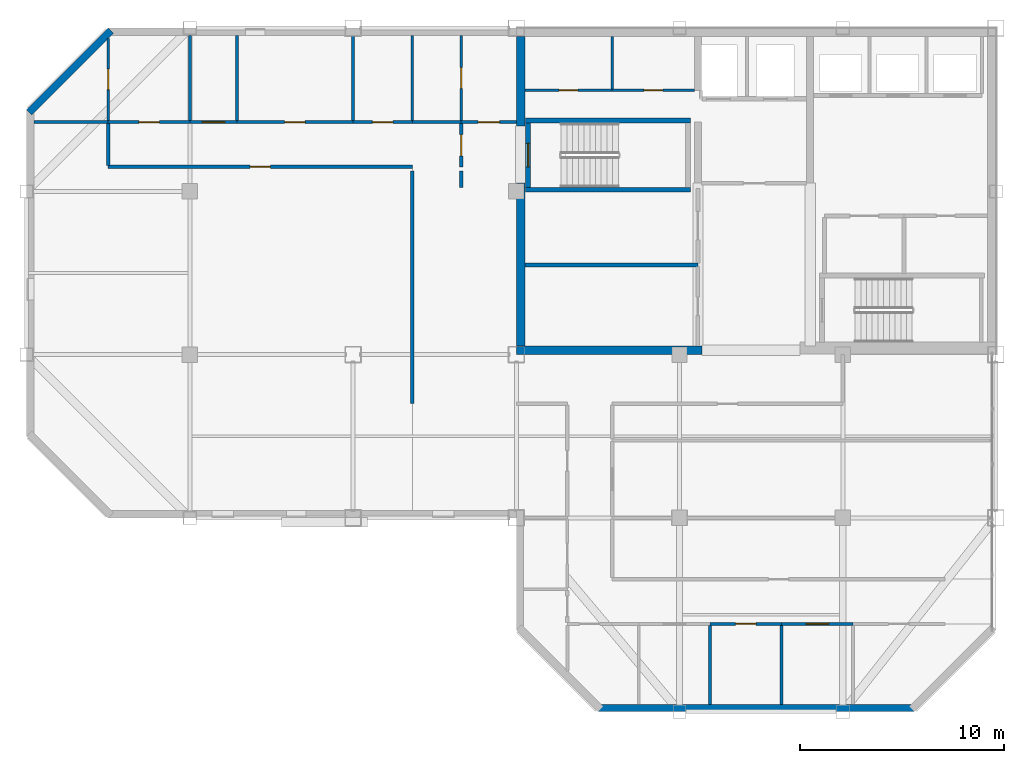
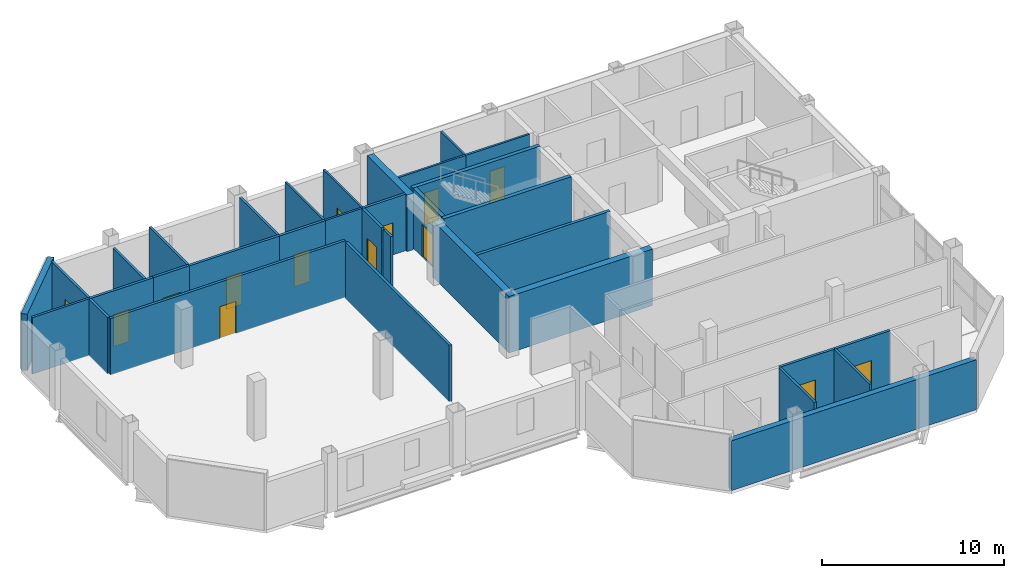
# One storey, part 8 of 13: 34 walls, 14 doors, 14 openings.
"""IFC4 building model written with IfcOpenShell, lengths in metres."""

from ifc_helpers import new_model, si_unit, direction, frame, frame_2d, origin, place, context, subcontext, project, spatial, rectangle, extrude, material, layer, layer_set, type_object, element, fill, save


model = new_model("IFC4")

# Units and contexts
model_context = context("Model", 3, precision=1e-05, world=origin(), true_north=direction((0.0, 1.0)))
body_context = subcontext(model_context, "Body", "Model", "MODEL_VIEW")
ifc_project = project(units=[si_unit("LENGTHUNIT", "METRE"), si_unit("AREAUNIT", "SQUARE_METRE"), si_unit("VOLUMEUNIT", "CUBIC_METRE"), si_unit("PLANEANGLEUNIT", "RADIAN"), si_unit("MASSUNIT", "GRAM", prefix="KILO")], contexts=[model_context])

# Site, building, storey
site_placement = place(None, origin())
site = spatial("IfcSite", under=ifc_project, at=site_placement, CompositionType="ELEMENT")
building_placement = place(site_placement, origin())
building = spatial("IfcBuilding", under=site, at=building_placement, Name="Qianrong Seaharbour Tower", CompositionType="ELEMENT")
storey_placement = place(building_placement, frame((0.0, 0.0, 299.199951171875)))
storey = spatial("IfcBuildingStorey", under=building, at=storey_placement, Name="L72", CompositionType="ELEMENT", Elevation=299.199951171875)

# Walls
ifc_material_1 = material(Name="Concrete C50/60", Category="concrete")
ifc_layer_1 = layer(ifc_material_1, 0.419921875)
ifc_layer_set_1 = layer_set([ifc_layer_1], Name="Concrete C50/60")
wall_type_1 = type_object("IfcWallType", Name="WALL-CORE-420", PredefinedType="SHEAR", material=ifc_layer_set_1)
wall_1_placement = place(storey_placement, frame((40.7099609375, 36.419921875, 0.0), z_axis=(0.0, 0.0, 1.0), x_axis=(0.0, 1.0, 0.0)))
element("IfcWall", 1, at=wall_1_placement, inside=storey, type_object=wall_type_1, Name="L72 West Core Shear Wall South", PredefinedType="SHEAR", context=body_context, shape_type="SweptSolid", body=[
    extrude(rectangle(XDim=7.97998046875, YDim=0.419921875, at=frame_2d((3.989990234375, 0.0))), origin(), (0.0, 0.0, 1.0), 3.78515625),
])
wall_2_placement = place(storey_placement, frame((40.7099609375, 47.199951171875, 0.0), z_axis=(0.0, 0.0, 1.0), x_axis=(0.0, 1.0, 0.0)))
element("IfcWall", 2, at=wall_2_placement, inside=storey, type_object=wall_type_1, Name="L72 West Core Shear Wall North", PredefinedType="SHEAR", context=body_context, shape_type="SweptSolid", body=[
    extrude(rectangle(XDim=4.380126953125, YDim=0.419921875, at=frame_2d((2.18994140625, 0.0))), origin(), (0.0, 0.0, 1.0), 3.78515625),
])
wall_3_placement = place(storey_placement, frame((40.5, 36.2099609375, 0.0), z_axis=(0.0, 0.0, 1.0), x_axis=(1.0, 0.0, 0.0)))
element("IfcWall", 3, at=wall_3_placement, inside=storey, type_object=wall_type_1, Name="L72 South Core Shear Wall S1", PredefinedType="SHEAR", context=body_context, shape_type="SweptSolid", body=[
    extrude(rectangle(XDim=9.10009765625, YDim=0.419921875, at=frame_2d((4.550048828125, 0.0))), origin(), (0.0, 0.0, 1.0), 3.78515625),
])

# Wall, opening, door
ifc_material_2 = material(Name="Fire-rated acoustic gypsum board partition")
ifc_layer_2 = layer(ifc_material_2, 0.1650390625)
ifc_layer_set_2 = layer_set([ifc_layer_2], Name="Fire-rated acoustic gypsum board partition")
wall_type_2 = type_object("IfcWallType", Name="WALL-CORR-PART-165", PredefinedType="PARTITIONING", material=ifc_layer_set_2)
wall_4_placement = place(storey_placement, frame((37.800048828125, 47.39990234375, 0.0), z_axis=(0.0, 0.0, 1.0), x_axis=(1.0, 0.0, 0.0)))
wall_4 = element("IfcWall", 4, at=wall_4_placement, inside=storey, type_object=wall_type_2, Name="L72 Interior Partition Wall 001", PredefinedType="PARTITIONING", context=body_context, shape_type="SweptSolid", body=[
    extrude(rectangle(XDim=2.699951171875, YDim=0.1650390625, at=frame_2d((1.35009765625, 0.0))), origin(), (0.0, 0.0, 1.0), 3.78515625),
])
opening_1_placement = place(wall_4_placement, frame((0.824951171875, 0.0, 0.0)))
opening_1 = element("IfcOpeningElement", 5, at=opening_1_placement, cuts=wall_4, Name="Opening DC-01", PredefinedType="OPENING", context=body_context, shape_type="SweptSolid", body=[
    extrude(rectangle(XDim=1.050048828125, YDim=2.14990234375, at=frame_2d((0.52490234375, 1.074951171875))), frame((0.0, 0.092529296875, 0.0), z_axis=(0.0, -1.0, 0.0), x_axis=(1.0, 0.0, 0.0)), (0.0, 0.0, 1.0), 0.18505859375),
])
ifc_material_3 = material(Name="Acoustic timber and galvanized steel fire door assembly", Category="steel")
door_type_1 = type_object("IfcDoorType", Name="DOOR-CORR-FD60-1050x2150", OperationType="NOTDEFINED", PredefinedType="DOOR", material=ifc_material_3)
door_1_placement = place(opening_1_placement, origin())
door_1 = element("IfcDoor", 6, at=door_1_placement, inside=storey, type_object=door_type_1, Name="L72 Smokeproof Stair Vestibule ST-1 Door", OperationType="SINGLE_SWING_LEFT", OverallHeight=2.14990234375, OverallWidth=1.050048828125, PredefinedType="DOOR", context=body_context, shape_type="SweptSolid", body=[
    extrude(rectangle(XDim=1.050048828125, YDim=2.14990234375, at=frame_2d((0.52490234375, 1.074951171875))), frame((0.0, 0.02490234375, 0.0), z_axis=(0.0, -1.0, 0.0), x_axis=(1.0, 0.0, 0.0)), (0.0, 0.0, 1.0), 0.050048828125),
])
fill(opening_1, door_1)

wall_5_placement = place(storey_placement, frame((37.800048828125, 45.199951171875, 0.0), z_axis=(0.0, 0.0, 1.0), x_axis=(0.0, 1.0, 0.0)))
wall_5 = element("IfcWall", 7, at=wall_5_placement, inside=storey, type_object=wall_type_2, Name="L72 Interior Partition Wall 002", PredefinedType="PARTITIONING", context=body_context, shape_type="SweptSolid", body=[
    extrude(rectangle(XDim=2.12548828125, YDim=0.1650390625, at=frame_2d((1.062744140625, 0.0))), origin(), (0.0, 0.0, 1.0), 3.78515625),
])
opening_2_placement = place(wall_5_placement, frame((0.537841796875, 0.0, 0.0)))
opening_2 = element("IfcOpeningElement", 8, at=opening_2_placement, cuts=wall_5, Name="Opening DC-01", PredefinedType="OPENING", context=body_context, shape_type="SweptSolid", body=[
    extrude(rectangle(XDim=1.050048828125, YDim=2.14990234375, at=frame_2d((0.52490234375, 1.074951171875))), frame((0.0, 0.092529296875, 0.0), z_axis=(0.0, -1.0, 0.0), x_axis=(1.0, 0.0, 0.0)), (0.0, 0.0, 1.0), 0.18505859375),
])
door_2_placement = place(opening_2_placement, origin())
door_2 = element("IfcDoor", 9, at=door_2_placement, inside=storey, type_object=door_type_1, Name="L72 Smokeproof Stair Vestibule ST-1 Door", OperationType="SINGLE_SWING_RIGHT", OverallHeight=2.14990234375, OverallWidth=1.050048828125, PredefinedType="DOOR", context=body_context, shape_type="SweptSolid", body=[
    extrude(rectangle(XDim=1.050048828125, YDim=2.14990234375, at=frame_2d((0.52490234375, 1.074951171875))), frame((0.0, 0.02490234375, 0.0), z_axis=(0.0, -1.0, 0.0), x_axis=(1.0, 0.0, 0.0)), (0.0, 0.0, 1.0), 0.050048828125),
])
fill(opening_2, door_2)

# Wall
wall_6_placement = place(storey_placement, frame((37.800048828125, 44.199951171875, 0.0), z_axis=(0.0, 0.0, 1.0), x_axis=(0.0, 1.0, 0.0)))
element("IfcWall", 10, at=wall_6_placement, inside=storey, type_object=wall_type_2, Name="L72 Interior Partition Wall 003", PredefinedType="PARTITIONING", context=body_context, shape_type="SweptSolid", body=[
    extrude(rectangle(XDim=0.800048828125, YDim=0.1650390625, at=frame_2d((0.39990234375, 0.0))), origin(), (0.0, 0.0, 1.0), 3.78515625),
])

# Wall, opening, door
wall_7_placement = place(storey_placement, frame((35.39990234375, 45.199951171875, 0.0), z_axis=(0.0, 0.0, 1.0), x_axis=(-1.0, 0.0, 0.0)))
wall_7 = element("IfcWall", 11, at=wall_7_placement, inside=storey, type_object=wall_type_2, Name="L72 Interior Partition Wall 018", PredefinedType="PARTITIONING", context=body_context, shape_type="SweptSolid", body=[
    extrude(rectangle(XDim=14.89990234375, YDim=0.1650390625, at=frame_2d((7.449951171875, 0.0))), origin(), (0.0, 0.0, 1.0), 3.78515625),
])
opening_3_placement = place(wall_7_placement, frame((6.949951171875, 0.0, 0.0)))
opening_3 = element("IfcOpeningElement", 12, at=opening_3_placement, cuts=wall_7, Name="Opening DO-01", PredefinedType="OPENING", context=body_context, shape_type="SweptSolid", body=[
    extrude(rectangle(XDim=1.0, YDim=2.14990234375, at=frame_2d((0.5, 1.074951171875))), frame((0.0, 0.092529296875, 0.0), z_axis=(0.0, -1.0, 0.0), x_axis=(1.0, 0.0, 0.0)), (0.0, 0.0, 1.0), 0.18505859375),
])
door_type_2 = type_object("IfcDoorType", Name="DOOR-OFFICE-1000x2150", OperationType="NOTDEFINED", PredefinedType="DOOR", material=ifc_material_3)
door_3_placement = place(opening_3_placement, origin())
door_3 = element("IfcDoor", 13, at=door_3_placement, inside=storey, type_object=door_type_2, Name="L72 Open-Plan Office Door", OperationType="SINGLE_SWING_LEFT", OverallHeight=2.14990234375, OverallWidth=1.0, PredefinedType="DOOR", context=body_context, shape_type="SweptSolid", body=[
    extrude(rectangle(XDim=1.0, YDim=2.14990234375, at=frame_2d((0.5, 1.074951171875))), frame((0.0, 0.02490234375, 0.0), z_axis=(0.0, -1.0, 0.0), x_axis=(1.0, 0.0, 0.0)), (0.0, 0.0, 1.0), 0.050048828125),
])
fill(opening_3, door_3)

# Wall
wall_8_placement = place(storey_placement, frame((20.5, 45.2744140625, 0.0), z_axis=(0.0, 0.0, 1.0), x_axis=(0.0, 1.0, 0.0)))
element("IfcWall", 14, at=wall_8_placement, inside=storey, type_object=wall_type_2, Name="L72 Interior Partition Wall 019", PredefinedType="PARTITIONING", context=body_context, shape_type="SweptSolid", body=[
    extrude(rectangle(XDim=2.051025390625, YDim=0.1650390625, at=frame_2d((1.025390625, 0.0))), origin(), (0.0, 0.0, 1.0), 3.78515625),
])

# Wall, opening, door
wall_9_placement = place(storey_placement, frame((20.5, 47.39990234375, 0.0), z_axis=(0.0, 0.0, 1.0), x_axis=(1.0, 0.0, 0.0)))
wall_9 = element("IfcWall", 15, at=wall_9_placement, inside=storey, type_object=wall_type_2, Name="L72 Interior Partition Wall 020", PredefinedType="PARTITIONING", context=body_context, shape_type="SweptSolid", body=[
    extrude(rectangle(XDim=4.0, YDim=0.1650390625, at=frame_2d((2.0, 0.0))), origin(), (0.0, 0.0, 1.0), 3.78515625),
])
opening_4_placement = place(wall_9_placement, frame((1.5, 0.0, 0.0)))
opening_4 = element("IfcOpeningElement", 16, at=opening_4_placement, cuts=wall_9, Name="Opening DO-01", PredefinedType="OPENING", context=body_context, shape_type="SweptSolid", body=[
    extrude(rectangle(XDim=1.0, YDim=2.14990234375, at=frame_2d((0.5, 1.074951171875))), frame((0.0, 0.092529296875, 0.0), z_axis=(0.0, -1.0, 0.0), x_axis=(1.0, 0.0, 0.0)), (0.0, 0.0, 1.0), 0.18505859375),
])
door_4_placement = place(opening_4_placement, origin())
door_4 = element("IfcDoor", 17, at=door_4_placement, inside=storey, type_object=door_type_2, Name="L72 Focus Room 2 Door", OperationType="SINGLE_SWING_LEFT", OverallHeight=2.14990234375, OverallWidth=1.0, PredefinedType="DOOR", context=body_context, shape_type="SweptSolid", body=[
    extrude(rectangle(XDim=1.0, YDim=2.14990234375, at=frame_2d((0.5, 1.074951171875))), frame((0.0, 0.02490234375, 0.0), z_axis=(0.0, -1.0, 0.0), x_axis=(1.0, 0.0, 0.0)), (0.0, 0.0, 1.0), 0.050048828125),
])
fill(opening_4, door_4)

wall_10_placement = place(storey_placement, frame((24.5, 47.39990234375, 0.0), z_axis=(0.0, 0.0, 1.0), x_axis=(1.0, 0.0, 0.0)))
wall_10 = element("IfcWall", 18, at=wall_10_placement, inside=storey, type_object=wall_type_2, Name="L72 Interior Partition Wall 021", PredefinedType="PARTITIONING", context=body_context, shape_type="SweptSolid", body=[
    extrude(rectangle(XDim=2.300048828125, YDim=0.1650390625, at=frame_2d((1.14990234375, 0.0))), origin(), (0.0, 0.0, 1.0), 3.78515625),
])
opening_5_placement = place(wall_10_placement, frame((0.60009765625, 0.0, 0.0)))
opening_5 = element("IfcOpeningElement", 19, at=opening_5_placement, cuts=wall_10, Name="Opening DM-01", PredefinedType="OPENING", context=body_context, shape_type="SweptSolid", body=[
    extrude(rectangle(XDim=1.10009765625, YDim=2.199951171875, at=frame_2d((0.550048828125, 1.10009765625))), frame((0.0, 0.092529296875, 0.0), z_axis=(0.0, -1.0, 0.0), x_axis=(1.0, 0.0, 0.0)), (0.0, 0.0, 1.0), 0.18505859375),
])
door_type_3 = type_object("IfcDoorType", Name="DOOR-MEET-1100x2200", OperationType="NOTDEFINED", PredefinedType="DOOR", material=ifc_material_3)
door_5_placement = place(opening_5_placement, origin())
door_5 = element("IfcDoor", 20, at=door_5_placement, inside=storey, type_object=door_type_3, Name="L72 Meeting Room 3 Door", OperationType="SINGLE_SWING_RIGHT", OverallHeight=2.199951171875, OverallWidth=1.10009765625, PredefinedType="DOOR", context=body_context, shape_type="SweptSolid", body=[
    extrude(rectangle(XDim=1.10009765625, YDim=2.199951171875, at=frame_2d((0.550048828125, 1.10009765625))), frame((0.0, 0.02490234375, 0.0), z_axis=(0.0, -1.0, 0.0), x_axis=(1.0, 0.0, 0.0)), (0.0, 0.0, 1.0), 0.050048828125),
])
fill(opening_5, door_5)

wall_11_placement = place(storey_placement, frame((26.800048828125, 47.39990234375, 0.0), z_axis=(0.0, 0.0, 1.0), x_axis=(1.0, 0.0, 0.0)))
wall_11 = element("IfcWall", 21, at=wall_11_placement, inside=storey, type_object=wall_type_2, Name="L72 Interior Partition Wall 022", PredefinedType="PARTITIONING", context=body_context, shape_type="SweptSolid", body=[
    extrude(rectangle(XDim=5.699951171875, YDim=0.1650390625, at=frame_2d((2.85009765625, 0.0))), origin(), (0.0, 0.0, 1.0), 3.78515625),
])
opening_6_placement = place(wall_11_placement, frame((2.35009765625, 0.0, 0.0)))
opening_6 = element("IfcOpeningElement", 22, at=opening_6_placement, cuts=wall_11, Name="Opening DO-01", PredefinedType="OPENING", context=body_context, shape_type="SweptSolid", body=[
    extrude(rectangle(XDim=1.0, YDim=2.14990234375, at=frame_2d((0.5, 1.074951171875))), frame((0.0, 0.092529296875, 0.0), z_axis=(0.0, -1.0, 0.0), x_axis=(1.0, 0.0, 0.0)), (0.0, 0.0, 1.0), 0.18505859375),
])
door_6_placement = place(opening_6_placement, origin())
door_6 = element("IfcDoor", 23, at=door_6_placement, inside=storey, type_object=door_type_2, Name="L72 Executive Office 4 Door", OperationType="SINGLE_SWING_LEFT", OverallHeight=2.14990234375, OverallWidth=1.0, PredefinedType="DOOR", context=body_context, shape_type="SweptSolid", body=[
    extrude(rectangle(XDim=1.0, YDim=2.14990234375, at=frame_2d((0.5, 1.074951171875))), frame((0.0, 0.02490234375, 0.0), z_axis=(0.0, -1.0, 0.0), x_axis=(1.0, 0.0, 0.0)), (0.0, 0.0, 1.0), 0.050048828125),
])
fill(opening_6, door_6)

wall_12_placement = place(storey_placement, frame((32.5, 47.39990234375, 0.0), z_axis=(0.0, 0.0, 1.0), x_axis=(1.0, 0.0, 0.0)))
wall_12 = element("IfcWall", 24, at=wall_12_placement, inside=storey, type_object=wall_type_2, Name="L72 Interior Partition Wall 023", PredefinedType="PARTITIONING", context=body_context, shape_type="SweptSolid", body=[
    extrude(rectangle(XDim=2.89990234375, YDim=0.1650390625, at=frame_2d((1.449951171875, 0.0))), origin(), (0.0, 0.0, 1.0), 3.78515625),
])
opening_7_placement = place(wall_12_placement, frame((0.949951171875, 0.0, 0.0)))
opening_7 = element("IfcOpeningElement", 25, at=opening_7_placement, cuts=wall_12, Name="Opening DO-01", PredefinedType="OPENING", context=body_context, shape_type="SweptSolid", body=[
    extrude(rectangle(XDim=1.0, YDim=2.14990234375, at=frame_2d((0.5, 1.074951171875))), frame((0.0, 0.092529296875, 0.0), z_axis=(0.0, -1.0, 0.0), x_axis=(1.0, 0.0, 0.0)), (0.0, 0.0, 1.0), 0.18505859375),
])
door_7_placement = place(opening_7_placement, origin())
door_7 = element("IfcDoor", 26, at=door_7_placement, inside=storey, type_object=door_type_2, Name="L72 Executive Office 5 Door", OperationType="SINGLE_SWING_RIGHT", OverallHeight=2.14990234375, OverallWidth=1.0, PredefinedType="DOOR", context=body_context, shape_type="SweptSolid", body=[
    extrude(rectangle(XDim=1.0, YDim=2.14990234375, at=frame_2d((0.5, 1.074951171875))), frame((0.0, 0.02490234375, 0.0), z_axis=(0.0, -1.0, 0.0), x_axis=(1.0, 0.0, 0.0)), (0.0, 0.0, 1.0), 0.050048828125),
])
fill(opening_7, door_7)

# Wall
wall_13_placement = place(storey_placement, frame((35.39990234375, 33.60009765625, 0.0), z_axis=(0.0, 0.0, 1.0), x_axis=(0.0, 1.0, 0.0)))
element("IfcWall", 27, at=wall_13_placement, inside=storey, type_object=wall_type_2, Name="L72 Interior Partition Wall 024", PredefinedType="PARTITIONING", context=body_context, shape_type="SweptSolid", body=[
    extrude(rectangle(XDim=11.39990234375, YDim=0.1650390625, at=frame_2d((5.699951171875, 0.0))), origin(), (0.0, 0.0, 1.0), 3.78515625),
])

# Wall, opening, door
wall_14_placement = place(storey_placement, frame((53.5, 22.800048828125, 0.0), z_axis=(0.0, 0.0, 1.0), x_axis=(-1.0, 0.0, 0.0)))
wall_14 = element("IfcWall", 28, at=wall_14_placement, inside=storey, type_object=wall_type_2, Name="L72 Interior Partition Wall 038", PredefinedType="PARTITIONING", context=body_context, shape_type="SweptSolid", body=[
    extrude(rectangle(XDim=3.5, YDim=0.1650390625, at=frame_2d((1.75, 0.0))), origin(), (0.0, 0.0, 1.0), 3.78515625),
])
opening_8_placement = place(wall_14_placement, frame((1.25, 0.0, 0.0)))
opening_8 = element("IfcOpeningElement", 29, at=opening_8_placement, cuts=wall_14, Name="Opening DO-01", PredefinedType="OPENING", context=body_context, shape_type="SweptSolid", body=[
    extrude(rectangle(XDim=1.0, YDim=2.14990234375, at=frame_2d((0.5, 1.074951171875))), frame((0.0, 0.092529296875, 0.0), z_axis=(0.0, -1.0, 0.0), x_axis=(1.0, 0.0, 0.0)), (0.0, 0.0, 1.0), 0.18505859375),
])
door_8_placement = place(opening_8_placement, origin())
door_8 = element("IfcDoor", 30, at=door_8_placement, inside=storey, type_object=door_type_2, Name="L72 Executive Office 3 Door", OperationType="SINGLE_SWING_LEFT", OverallHeight=2.14990234375, OverallWidth=1.0, PredefinedType="DOOR", context=body_context, shape_type="SweptSolid", body=[
    extrude(rectangle(XDim=1.0, YDim=2.14990234375, at=frame_2d((0.5, 1.074951171875))), frame((0.0, 0.02490234375, 0.0), z_axis=(0.0, -1.0, 0.0), x_axis=(1.0, 0.0, 0.0)), (0.0, 0.0, 1.0), 0.050048828125),
])
fill(opening_8, door_8)

wall_15_placement = place(storey_placement, frame((57.0, 22.800048828125, 0.0), z_axis=(0.0, 0.0, 1.0), x_axis=(-1.0, 0.0, 0.0)))
wall_15 = element("IfcWall", 31, at=wall_15_placement, inside=storey, type_object=wall_type_2, Name="L72 Interior Partition Wall 039", PredefinedType="PARTITIONING", context=body_context, shape_type="SweptSolid", body=[
    extrude(rectangle(XDim=3.5, YDim=0.1650390625, at=frame_2d((1.75, 0.0))), origin(), (0.0, 0.0, 1.0), 3.78515625),
])
opening_9_placement = place(wall_15_placement, frame((1.199951171875, 0.0, 0.0)))
opening_9 = element("IfcOpeningElement", 32, at=opening_9_placement, cuts=wall_15, Name="Opening DM-01", PredefinedType="OPENING", context=body_context, shape_type="SweptSolid", body=[
    extrude(rectangle(XDim=1.10009765625, YDim=2.199951171875, at=frame_2d((0.550048828125, 1.10009765625))), frame((0.0, 0.092529296875, 0.0), z_axis=(0.0, -1.0, 0.0), x_axis=(1.0, 0.0, 0.0)), (0.0, 0.0, 1.0), 0.18505859375),
])
door_9_placement = place(opening_9_placement, origin())
door_9 = element("IfcDoor", 33, at=door_9_placement, inside=storey, type_object=door_type_3, Name="L72 Meeting Room 4 Door", OperationType="SINGLE_SWING_RIGHT", OverallHeight=2.199951171875, OverallWidth=1.10009765625, PredefinedType="DOOR", context=body_context, shape_type="SweptSolid", body=[
    extrude(rectangle(XDim=1.10009765625, YDim=2.199951171875, at=frame_2d((0.550048828125, 1.10009765625))), frame((0.0, 0.02490234375, 0.0), z_axis=(0.0, -1.0, 0.0), x_axis=(1.0, 0.0, 0.0)), (0.0, 0.0, 1.0), 0.050048828125),
])
fill(opening_9, door_9)

# Walls
ifc_material_4 = material(Name="Unitised red brick on Precast concrete C45/55", Category="masonry")
ifc_layer_3 = layer(ifc_material_4, 0.360107421875)
ifc_layer_set_3 = layer_set([ifc_layer_3], Name="Unitised red brick on Precast concrete C45/55")
wall_type_3 = type_object("IfcWallType", Name="WALL-EXT-BRICK-RED-360", PredefinedType="SOLIDWALL", material=ifc_layer_set_3)
wall_16_placement = place(storey_placement, frame((16.627197265625, 47.872802734375, 0.0), z_axis=(0.0, 0.0, 1.0), x_axis=(0.707106781187, 0.707106781187, 0.0)))
element("IfcWall", 34, at=wall_16_placement, inside=storey, type_object=wall_type_3, Name="L72 Exterior Masonry Facade Wall E04", PredefinedType="SOLIDWALL", context=body_context, shape_type="SweptSolid", body=[
    extrude(rectangle(XDim=5.65673828125, YDim=0.360107421875, at=frame_2d((2.828369140625, 0.0))), origin(), (0.0, 0.0, 1.0), 3.78515625),
])
wall_17_placement = place(storey_placement, frame((60.0, 18.679931640625, 0.0), z_axis=(0.0, 0.0, 1.0), x_axis=(-1.0, 0.0, 0.0)))
element("IfcWall", 35, at=wall_17_placement, inside=storey, type_object=wall_type_3, Name="L72 Exterior Masonry Facade Wall SOUTH_TIP", PredefinedType="SOLIDWALL", context=body_context, shape_type="SweptSolid", body=[
    extrude(rectangle(XDim=15.5, YDim=0.360107421875, at=frame_2d((7.75, 0.0))), origin(), (0.0, 0.0, 1.0), 3.3349609375),
])
ifc_material_5 = material(Name="Double fire-rated gypsum board acoustic partition")
ifc_layer_4 = layer(ifc_material_5, 0.18994140625)
ifc_layer_set_4 = layer_set([ifc_layer_4], Name="Double fire-rated gypsum board acoustic partition")
wall_type_4 = type_object("IfcWallType", Name="WALL-FIRE-PART-190", PredefinedType="PARTITIONING", material=ifc_layer_set_4)
wall_18_placement = place(storey_placement, frame((40.919921875, 40.39990234375, 0.0), z_axis=(0.0, 0.0, 1.0), x_axis=(1.0, 0.0, 0.0)))
element("IfcWall", 36, at=wall_18_placement, inside=storey, type_object=wall_type_4, Name="L72 Interior Partition Wall 013", PredefinedType="PARTITIONING", context=body_context, shape_type="SweptSolid", body=[
    extrude(rectangle(XDim=8.47998046875, YDim=0.18994140625, at=frame_2d((4.239990234375, 0.0))), origin(), (0.0, 0.0, 1.0), 3.78515625),
])
ifc_material_6 = material(Name="Acoustic gypsum board stud partition")
ifc_layer_5 = layer(ifc_material_6, 0.14501953125)
ifc_layer_set_5 = layer_set([ifc_layer_5], Name="Acoustic gypsum board stud partition")
wall_type_5 = type_object("IfcWallType", Name="WALL-OFFICE-PART-145", PredefinedType="PARTITIONING", material=ifc_layer_set_5)
wall_19_placement = place(storey_placement, frame((16.85205078125, 47.39990234375, 0.0), z_axis=(0.0, 0.0, 1.0), x_axis=(1.0, 0.0, 0.0)))
element("IfcWall", 37, at=wall_19_placement, inside=storey, type_object=wall_type_5, Name="L72 Interior Partition Wall 041", PredefinedType="PARTITIONING", context=body_context, shape_type="SweptSolid", body=[
    extrude(rectangle(XDim=3.64794921875, YDim=0.14501953125, at=frame_2d((1.823974609375, 0.0))), origin(), (0.0, 0.0, 1.0), 3.78515625),
])

# Wall, opening, door
wall_20_placement = place(storey_placement, frame((20.5, 51.502197265625, 0.0), z_axis=(0.0, 0.0, 1.0), x_axis=(0.0, -1.0, 0.0)))
wall_20 = element("IfcWall", 38, at=wall_20_placement, inside=storey, type_object=wall_type_5, Name="L72 Interior Partition Wall 042", PredefinedType="PARTITIONING", context=body_context, shape_type="SweptSolid", body=[
    extrude(rectangle(XDim=4.027587890625, YDim=0.14501953125, at=frame_2d((2.013671875, 0.0))), origin(), (0.0, 0.0, 1.0), 3.78515625),
])
opening_10_placement = place(wall_20_placement, frame((1.513916015625, 0.0, 0.0)))
opening_10 = element("IfcOpeningElement", 39, at=opening_10_placement, cuts=wall_20, Name="Opening DO-01", PredefinedType="OPENING", context=body_context, shape_type="SweptSolid", body=[
    extrude(rectangle(XDim=1.0, YDim=2.14990234375, at=frame_2d((0.5, 1.074951171875))), frame((0.0, 0.08251953125, 0.0), z_axis=(0.0, -1.0, 0.0), x_axis=(1.0, 0.0, 0.0)), (0.0, 0.0, 1.0), 0.1650390625),
])
door_10_placement = place(opening_10_placement, origin())
door_10 = element("IfcDoor", 40, at=door_10_placement, inside=storey, type_object=door_type_2, Name="L72 Executive Office 1 Door", OperationType="SINGLE_SWING_RIGHT", OverallHeight=2.14990234375, OverallWidth=1.0, PredefinedType="DOOR", context=body_context, shape_type="SweptSolid", body=[
    extrude(rectangle(XDim=1.0, YDim=2.14990234375, at=frame_2d((0.5, 1.074951171875))), frame((0.0, 0.02490234375, 0.0), z_axis=(0.0, -1.0, 0.0), x_axis=(1.0, 0.0, 0.0)), (0.0, 0.0, 1.0), 0.050048828125),
])
fill(opening_10, door_10)

# Walls
wall_21_placement = place(storey_placement, frame((24.5, 51.64794921875, 0.0), z_axis=(0.0, 0.0, 1.0), x_axis=(0.0, -1.0, 0.0)))
element("IfcWall", 41, at=wall_21_placement, inside=storey, type_object=wall_type_5, Name="L72 Interior Partition Wall 043", PredefinedType="PARTITIONING", context=body_context, shape_type="SweptSolid", body=[
    extrude(rectangle(XDim=4.17333984375, YDim=0.14501953125, at=frame_2d((2.086669921875, 0.0))), origin(), (0.0, 0.0, 1.0), 3.177001953125),
])
for number, where, z_axis, x_axis, name in (
    (42, (26.800048828125, 51.64794921875, 0.0), (0.0, 0.0, 1.0), (0.0, -1.0, 0.0), "L72 Interior Partition Wall 044"),
    (43, (32.5, 51.64794921875, 0.0), (0.0, 0.0, 1.0), (0.0, -1.0, 0.0), "L72 Interior Partition Wall 045"),
):
    element("IfcWall", number, at=place(storey_placement, frame(where, z_axis=z_axis, x_axis=x_axis)), inside=storey, type_object=wall_type_5, Name=name, PredefinedType="PARTITIONING", context=body_context, shape_type="SweptSolid", body=[
        extrude(rectangle(XDim=4.17333984375, YDim=0.14501953125, at=frame_2d((2.086669921875, 0.0))), origin(), (0.0, 0.0, 1.0), 3.78515625),
    ])
for number, where, z_axis, x_axis, name in (
    (44, (50.0, 22.7255859375, 0.0), (0.0, 0.0, 1.0), (0.0, -1.0, 0.0), "L72 Interior Partition Wall 052"),
    (45, (53.5, 22.7255859375, 0.0), (0.0, 0.0, 1.0), (0.0, -1.0, 0.0), "L72 Interior Partition Wall 053"),
):
    element("IfcWall", number, at=place(storey_placement, frame(where, z_axis=z_axis, x_axis=x_axis)), inside=storey, type_object=wall_type_5, Name=name, PredefinedType="PARTITIONING", context=body_context, shape_type="SweptSolid", body=[
        extrude(rectangle(XDim=3.87353515625, YDim=0.14501953125, at=frame_2d((1.936767578125, 0.0))), origin(), (0.0, 0.0, 1.0), 3.78515625),
    ])
ifc_layer_6 = layer(ifc_material_1, 0.239990234375)
ifc_layer_set_6 = layer_set([ifc_layer_6], Name="Concrete C50/60")
wall_type_6 = type_object("IfcWallType", Name="WALL-SHAFT-RC240", PredefinedType="SOLIDWALL", material=ifc_layer_set_6)
for number, where, z_axis, x_axis, name in (
    (46, (40.9599609375, 47.469970703125, 0.0), (0.0, 0.0, 1.0), (1.0, 0.0, 0.0), "L72 ST-1 Structural Stair Core Wall N"),
    (47, (49.0400390625, 44.080078125, 0.0), (0.0, 0.0, 1.0), (-1.0, 0.0, 0.0), "L72 ST-1 Structural Stair Core Wall S"),
):
    element("IfcWall", number, at=place(storey_placement, frame(where, z_axis=z_axis, x_axis=x_axis)), inside=storey, type_object=wall_type_6, Name=name, PredefinedType="SOLIDWALL", context=body_context, shape_type="SweptSolid", body=[
        extrude(rectangle(XDim=8.080078125, YDim=0.239990234375, at=frame_2d((4.0400390625, 0.0))), origin(), (0.0, 0.0, 1.0), 4.0),
    ])

# Wall, opening, door
wall_22_placement = place(storey_placement, frame((41.080078125, 47.35009765625, 0.0), z_axis=(0.0, 0.0, 1.0), x_axis=(0.0, -1.0, 0.0)))
wall_22 = element("IfcWall", 48, at=wall_22_placement, inside=storey, type_object=wall_type_6, Name="L72 ST-1 Structural Stair Core Wall W", PredefinedType="SOLIDWALL", context=body_context, shape_type="SweptSolid", body=[
    extrude(rectangle(XDim=3.150146484375, YDim=0.239990234375, at=frame_2d((1.5751953125, 0.0))), origin(), (0.0, 0.0, 1.0), 4.0),
])
opening_11_placement = place(wall_22_placement, frame((1.0, 0.0, 0.0)))
opening_11 = element("IfcOpeningElement", 49, at=opening_11_placement, cuts=wall_22, Name="Opening SD-01", PredefinedType="OPENING", context=body_context, shape_type="SweptSolid", body=[
    extrude(rectangle(XDim=1.14990234375, YDim=2.199951171875, at=frame_2d((0.574951171875, 1.10009765625))), frame((0.0, 0.1298828125, 0.0), z_axis=(0.0, -1.0, 0.0), x_axis=(1.0, 0.0, 0.0)), (0.0, 0.0, 1.0), 0.260009765625),
])
door_type_4 = type_object("IfcDoorType", Name="DOOR-STAIR-FD60-1150x2200", OperationType="NOTDEFINED", PredefinedType="DOOR", material=ifc_material_3)
door_11_placement = place(opening_11_placement, origin())
door_11 = element("IfcDoor", 50, at=door_11_placement, inside=storey, type_object=door_type_4, Name="L72 ST-1 Protected Stair Door", OperationType="SINGLE_SWING_LEFT", OverallHeight=2.199951171875, OverallWidth=1.14990234375, PredefinedType="DOOR", context=body_context, shape_type="SweptSolid", body=[
    extrude(rectangle(XDim=1.14990234375, YDim=2.199951171875, at=frame_2d((0.574951171875, 1.10009765625))), frame((0.0, 0.02490234375, 0.0), z_axis=(0.0, -1.0, 0.0), x_axis=(1.0, 0.0, 0.0)), (0.0, 0.0, 1.0), 0.050048828125),
])
fill(opening_11, door_11)

ifc_material_7 = material(Name="Water-resistant cement board sanitary partition")
ifc_layer_7 = layer(ifc_material_7, 0.1298828125)
ifc_layer_set_7 = layer_set([ifc_layer_7], Name="Water-resistant cement board sanitary partition")
wall_type_7 = type_object("IfcWallType", Name="WALL-WET-PART-130", PredefinedType="PARTITIONING", material=ifc_layer_set_7)
wall_23_placement = place(storey_placement, frame((37.800048828125, 47.474609375, 0.0), z_axis=(0.0, 0.0, 1.0), x_axis=(0.0, 1.0, 0.0)))
wall_23 = element("IfcWall", 51, at=wall_23_placement, inside=storey, type_object=wall_type_7, Name="L72 Interior Partition Wall 004", PredefinedType="PARTITIONING", context=body_context, shape_type="SweptSolid", body=[
    extrude(rectangle(XDim=4.17333984375, YDim=0.1298828125, at=frame_2d((2.086669921875, 0.0))), origin(), (0.0, 0.0, 1.0), 3.78515625),
])
opening_12_placement = place(wall_23_placement, frame((1.57666015625, 0.0, 0.0)))
opening_12 = element("IfcOpeningElement", 52, at=opening_12_placement, cuts=wall_23, Name="Opening DAW-01", PredefinedType="OPENING", context=body_context, shape_type="SweptSolid", body=[
    extrude(rectangle(XDim=1.02001953125, YDim=2.14990234375, at=frame_2d((0.510009765625, 1.074951171875))), frame((0.0, 0.074951171875, 0.0), z_axis=(0.0, -1.0, 0.0), x_axis=(1.0, 0.0, 0.0)), (0.0, 0.0, 1.0), 0.14990234375),
])
door_type_5 = type_object("IfcDoorType", Name="DOOR-AWC-SLIDE-1020x2150", OperationType="SLIDING_TO_LEFT", PredefinedType="DOOR", material=ifc_material_3)
door_12_placement = place(opening_12_placement, origin())
door_12 = element("IfcDoor", 53, at=door_12_placement, inside=storey, type_object=door_type_5, Name="L72 Accessible Restroom WC Door", OperationType="SLIDING_TO_LEFT", OverallHeight=2.14990234375, OverallWidth=1.02001953125, PredefinedType="DOOR", context=body_context, shape_type="SweptSolid", body=[
    extrude(rectangle(XDim=1.02001953125, YDim=2.14990234375, at=frame_2d((0.510009765625, 1.074951171875))), frame((0.0, 0.02490234375, 0.0), z_axis=(0.0, -1.0, 0.0), x_axis=(1.0, 0.0, 0.0)), (0.0, 0.0, 1.0), 0.050048828125),
])
fill(opening_12, door_12)

# Walls
wall_24_placement = place(storey_placement, frame((37.800048828125, 47.39990234375, 0.0), z_axis=(0.0, 0.0, 1.0), x_axis=(-1.0, 0.0, 0.0)))
element("IfcWall", 54, at=wall_24_placement, inside=storey, type_object=wall_type_7, Name="L72 Interior Partition Wall 005", PredefinedType="PARTITIONING", context=body_context, shape_type="SweptSolid", body=[
    extrude(rectangle(XDim=2.400146484375, YDim=0.1298828125, at=frame_2d((1.2001953125, 0.0))), origin(), (0.0, 0.0, 1.0), 3.78515625),
])
wall_25_placement = place(storey_placement, frame((35.39990234375, 47.474609375, 0.0), z_axis=(0.0, 0.0, 1.0), x_axis=(0.0, 1.0, 0.0)))
element("IfcWall", 55, at=wall_25_placement, inside=storey, type_object=wall_type_7, Name="L72 Interior Partition Wall 006", PredefinedType="PARTITIONING", context=body_context, shape_type="SweptSolid", body=[
    extrude(rectangle(XDim=4.17333984375, YDim=0.1298828125, at=frame_2d((2.086669921875, 0.0))), origin(), (0.0, 0.0, 1.0), 3.78515625),
])

# Wall, opening, door
wall_26_placement = place(storey_placement, frame((40.919921875, 48.949951171875, 0.0), z_axis=(0.0, 0.0, 1.0), x_axis=(1.0, 0.0, 0.0)))
wall_26 = element("IfcWall", 56, at=wall_26_placement, inside=storey, type_object=wall_type_7, Name="L72 Interior Partition Wall 007", PredefinedType="PARTITIONING", context=body_context, shape_type="SweptSolid", body=[
    extrude(rectangle(XDim=4.280029296875, YDim=0.1298828125, at=frame_2d((2.14013671875, 0.0))), origin(), (0.0, 0.0, 1.0), 3.78515625),
])
opening_13_placement = place(wall_26_placement, frame((1.679931640625, 0.0, 0.0)))
opening_13 = element("IfcOpeningElement", 57, at=opening_13_placement, cuts=wall_26, Name="Opening DW-01", PredefinedType="OPENING", context=body_context, shape_type="SweptSolid", body=[
    extrude(rectangle(XDim=0.919921875, YDim=2.14990234375, at=frame_2d((0.4599609375, 1.074951171875))), frame((0.0, 0.074951171875, 0.0), z_axis=(0.0, -1.0, 0.0), x_axis=(1.0, 0.0, 0.0)), (0.0, 0.0, 1.0), 0.14990234375),
])
door_type_6 = type_object("IfcDoorType", Name="DOOR-WC-920x2150", OperationType="NOTDEFINED", PredefinedType="DOOR", material=ifc_material_3)
door_13_placement = place(opening_13_placement, origin())
door_13 = element("IfcDoor", 58, at=door_13_placement, inside=storey, type_object=door_type_6, Name="L72 Male Restroom WC Door", OperationType="SINGLE_SWING_RIGHT", OverallHeight=2.14990234375, OverallWidth=0.919921875, PredefinedType="DOOR", context=body_context, shape_type="SweptSolid", body=[
    extrude(rectangle(XDim=0.919921875, YDim=2.14990234375, at=frame_2d((0.4599609375, 1.074951171875))), frame((0.0, 0.02490234375, 0.0), z_axis=(0.0, -1.0, 0.0), x_axis=(1.0, 0.0, 0.0)), (0.0, 0.0, 1.0), 0.050048828125),
])
fill(opening_13, door_13)

wall_27_placement = place(storey_placement, frame((45.199951171875, 48.949951171875, 0.0), z_axis=(0.0, 0.0, 1.0), x_axis=(1.0, 0.0, 0.0)))
wall_27 = element("IfcWall", 59, at=wall_27_placement, inside=storey, type_object=wall_type_7, Name="L72 Interior Partition Wall 008", PredefinedType="PARTITIONING", context=body_context, shape_type="SweptSolid", body=[
    extrude(rectangle(XDim=4.032958984375, YDim=0.1298828125, at=frame_2d((2.0166015625, 0.0))), origin(), (0.0, 0.0, 1.0), 3.78515625),
])
opening_14_placement = place(wall_27_placement, frame((1.556396484375, 0.0, 0.0)))
opening_14 = element("IfcOpeningElement", 60, at=opening_14_placement, cuts=wall_27, Name="Opening DW-01", PredefinedType="OPENING", context=body_context, shape_type="SweptSolid", body=[
    extrude(rectangle(XDim=0.919921875, YDim=2.14990234375, at=frame_2d((0.4599609375, 1.074951171875))), frame((0.0, 0.074951171875, 0.0), z_axis=(0.0, -1.0, 0.0), x_axis=(1.0, 0.0, 0.0)), (0.0, 0.0, 1.0), 0.14990234375),
])
door_14_placement = place(opening_14_placement, origin())
door_14 = element("IfcDoor", 61, at=door_14_placement, inside=storey, type_object=door_type_6, Name="L72 Female Restroom WC Door", OperationType="SINGLE_SWING_LEFT", OverallHeight=2.14990234375, OverallWidth=0.919921875, PredefinedType="DOOR", context=body_context, shape_type="SweptSolid", body=[
    extrude(rectangle(XDim=0.919921875, YDim=2.14990234375, at=frame_2d((0.4599609375, 1.074951171875))), frame((0.0, 0.02490234375, 0.0), z_axis=(0.0, -1.0, 0.0), x_axis=(1.0, 0.0, 0.0)), (0.0, 0.0, 1.0), 0.050048828125),
])
fill(opening_14, door_14)

# Wall
wall_28_placement = place(storey_placement, frame((45.199951171875, 51.580078125, 0.0), z_axis=(0.0, 0.0, 1.0), x_axis=(0.0, -1.0, 0.0)))
element("IfcWall", 62, at=wall_28_placement, inside=storey, type_object=wall_type_7, Name="L72 Interior Partition Wall 016", PredefinedType="PARTITIONING", context=body_context, shape_type="SweptSolid", body=[
    extrude(rectangle(XDim=2.572998046875, YDim=0.1298828125, at=frame_2d((1.28662109375, 0.0))), origin(), (0.0, 0.0, 1.0), 3.78515625),
])

save(model, "model.ifc")
